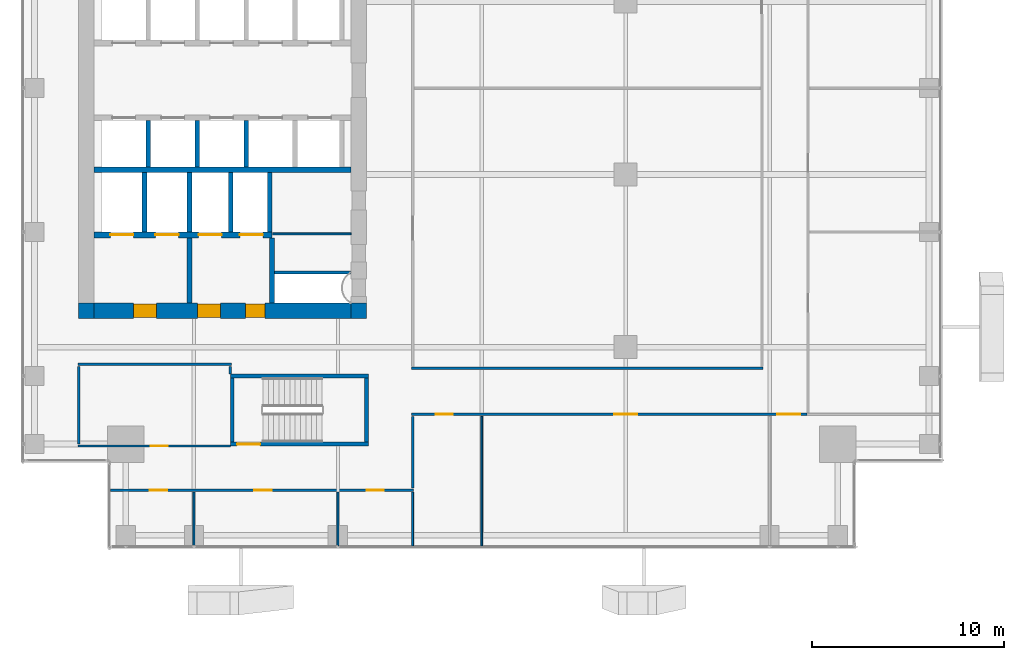
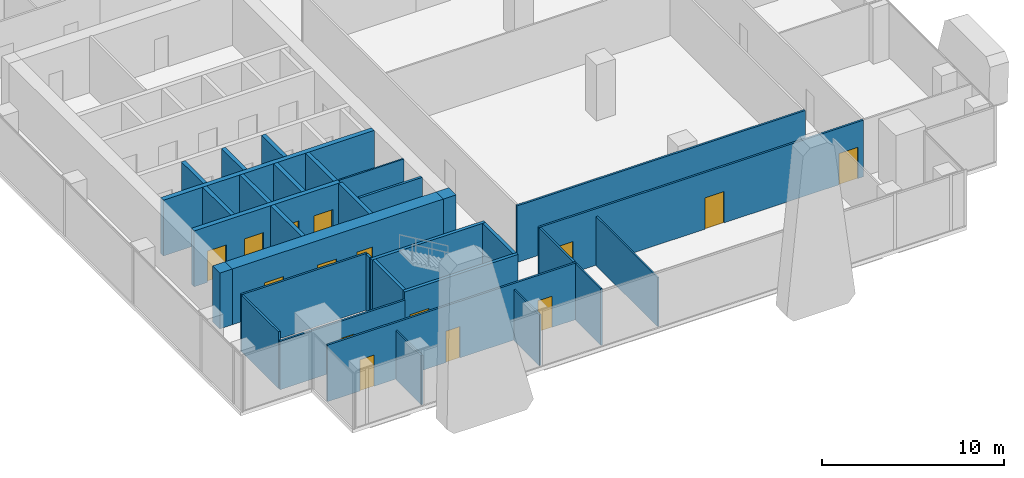
# One storey, part 32 of 38: 32 walls, 15 doors, 15 openings.
"""IFC4 building model written with IfcOpenShell, lengths in metres."""

from ifc_helpers import new_model, si_unit, direction, frame, frame_2d, origin, place, context, subcontext, project, spatial, rectangle, extrude, source, transform, mapped, material, layer, layer_set, type_object, element, fill, save


model = new_model("IFC4")

# Units and contexts
model_context = context("Model", 3, precision=1e-05, world=origin(), true_north=direction((0.0, 1.0)))
body_context = subcontext(model_context, "Body", "Model", "MODEL_VIEW")
ifc_project = project(units=[si_unit("LENGTHUNIT", "METRE"), si_unit("AREAUNIT", "SQUARE_METRE"), si_unit("VOLUMEUNIT", "CUBIC_METRE"), si_unit("PLANEANGLEUNIT", "RADIAN"), si_unit("MASSUNIT", "GRAM", prefix="KILO")], contexts=[model_context])

# Site, building, storey
site_placement = place(None, origin())
site = spatial("IfcSite", under=ifc_project, at=site_placement, CompositionType="ELEMENT")
building_placement = place(site_placement, origin())
building = spatial("IfcBuilding", under=site, at=building_placement, Name="Khomas Fold Tower", CompositionType="ELEMENT")
storey_placement = place(building_placement, frame((0.0, 0.0, 196.699951171875)))
storey = spatial("IfcBuildingStorey", under=building, at=storey_placement, Name="L43", CompositionType="ELEMENT", Elevation=196.699951171875)

# Wall, openings, doors
ifc_material_1 = material(Name="Concrete C60/75", Category="concrete")
ifc_layer_1 = layer(ifc_material_1, 0.800048828125)
ifc_layer_set_1 = layer_set([ifc_layer_1], Name="Concrete C60/75")
wall_type_1 = type_object("IfcWallType", Name="Core wall 800", PredefinedType="SHEAR", material=ifc_layer_set_1)
shared_shape_1 = source(origin(), body_context, "Body", "SweptSolid", [
    extrude(rectangle(XDim=13.39990234375, YDim=0.800048828125, at=frame_2d((6.699951171875, 0.0))), origin(), (0.0, 0.0, 1.0), 3.75),
])
wall_1_placement = place(storey_placement, frame((6.800048828125, 15.39990234375, 0.0), z_axis=(0.0, 0.0, 1.0), x_axis=(1.0, 0.0, 0.0)))
wall_1 = element("IfcWall", 1, at=wall_1_placement, inside=storey, type_object=wall_type_1, Name="Core wall CW-U-S-L35", PredefinedType="SHEAR", context=body_context, shape_type="MappedRepresentation", body=[
    mapped(shared_shape_1, transform((0.0, 0.0, 0.0))),
])
shared_shape_2 = source(origin(), body_context, "Body", "SweptSolid", [
    extrude(rectangle(XDim=1.199951171875, YDim=2.10009765625, at=frame_2d((0.60009765625, 1.050048828125))), frame((0.0, 0.409912109375, 0.0), z_axis=(0.0, -1.0, 0.0), x_axis=(1.0, 0.0, 0.0)), (0.0, 0.0, 1.0), 0.820068359375),
])
opening_1_placement = place(wall_1_placement, frame((5.39990234375, 0.0, 0.0)))
opening_1 = element("IfcOpeningElement", 2, at=opening_1_placement, cuts=wall_1, Name="Opening 0009", PredefinedType="OPENING", context=body_context, shape_type="MappedRepresentation", body=[
    mapped(shared_shape_2, transform((0.0, 0.0, 0.0))),
])
opening_2_placement = place(wall_1_placement, frame((2.050048828125, 0.0, 0.0)))
opening_2 = element("IfcOpeningElement", 3, at=opening_2_placement, cuts=wall_1, Name="Opening 0009", PredefinedType="OPENING", context=body_context, shape_type="MappedRepresentation", body=[
    mapped(shared_shape_2, transform((0.0, 0.0, 0.0))),
])
shared_shape_3 = source(origin(), body_context, "Body", "SweptSolid", [
    extrude(rectangle(XDim=1.0, YDim=2.10009765625, at=frame_2d((0.5, 1.050048828125))), frame((0.0, 0.409912109375, 0.0), z_axis=(0.0, -1.0, 0.0), x_axis=(1.0, 0.0, 0.0)), (0.0, 0.0, 1.0), 0.820068359375),
])
opening_3_placement = place(wall_1_placement, frame((7.89990234375, 0.0, 0.0)))
opening_3 = element("IfcOpeningElement", 4, at=opening_3_placement, cuts=wall_1, Name="Opening 0010", PredefinedType="OPENING", context=body_context, shape_type="MappedRepresentation", body=[
    mapped(shared_shape_3, transform((0.0, 0.0, 0.0))),
])
ifc_material_2 = material(Name="Steel door leaf", Category="steel")
door_type_1 = type_object("IfcDoorType", Name="Lobby door 1200x2100 right-hand", OperationType="SINGLE_SWING_RIGHT", PredefinedType="DOOR", material=ifc_material_2)
shared_shape_4 = source(origin(), body_context, "Body", "SweptSolid", [
    extrude(rectangle(XDim=1.199951171875, YDim=2.10009765625, at=frame_2d((0.60009765625, 1.050048828125))), frame((0.0, 0.35009765625, 0.0), z_axis=(0.0, -1.0, 0.0), x_axis=(1.0, 0.0, 0.0)), (0.0, 0.0, 1.0), 0.699951171875),
])
door_1_placement = place(opening_1_placement, origin())
door_1 = element("IfcDoor", 5, at=door_1_placement, inside=storey, type_object=door_type_1, Name="Lobby door", OperationType="SINGLE_SWING_RIGHT", OverallHeight=2.10009765625, OverallWidth=1.199951171875, PredefinedType="DOOR", context=body_context, shape_type="MappedRepresentation", body=[
    mapped(shared_shape_4, transform((0.0, 0.0, 0.0))),
])
fill(opening_1, door_1)
door_2_placement = place(opening_2_placement, origin())
door_2 = element("IfcDoor", 6, at=door_2_placement, inside=storey, type_object=door_type_1, Name="Lobby door", OperationType="SINGLE_SWING_RIGHT", OverallHeight=2.10009765625, OverallWidth=1.199951171875, PredefinedType="DOOR", context=body_context, shape_type="MappedRepresentation", body=[
    mapped(shared_shape_4, transform((0.0, 0.0, 0.0))),
])
fill(opening_2, door_2)
ifc_material_3 = material(Name="Steel door leaf", Category="steel")
door_type_2 = type_object("IfcDoorType", Name="Stair door 1000x2100 right-hand", OperationType="SINGLE_SWING_RIGHT", PredefinedType="DOOR", material=ifc_material_3)
shared_shape_5 = source(origin(), body_context, "Body", "SweptSolid", [
    extrude(rectangle(XDim=1.0, YDim=2.10009765625, at=frame_2d((0.5, 1.050048828125))), frame((0.0, 0.35009765625, 0.0), z_axis=(0.0, -1.0, 0.0), x_axis=(1.0, 0.0, 0.0)), (0.0, 0.0, 1.0), 0.699951171875),
])
door_3_placement = place(opening_3_placement, origin())
door_3 = element("IfcDoor", 7, at=door_3_placement, inside=storey, type_object=door_type_2, Name="Stair door", OperationType="SINGLE_SWING_RIGHT", OverallHeight=2.10009765625, OverallWidth=1.0, PredefinedType="DOOR", context=body_context, shape_type="MappedRepresentation", body=[
    mapped(shared_shape_5, transform((0.0, 0.0, 0.0))),
])
fill(opening_3, door_3)

# Walls
ifc_material_4 = material(Name="Concrete C60/75", Category="concrete")
ifc_layer_2 = layer(ifc_material_4, 0.800048828125)
ifc_layer_set_2 = layer_set([ifc_layer_2], Name="Concrete C60/75")
wall_type_2 = type_object("IfcWallType", Name="Core corner wall 800", PredefinedType="SHEAR", material=ifc_layer_set_2)
shared_shape_6 = source(origin(), body_context, "Body", "SweptSolid", [
    extrude(rectangle(XDim=0.800048828125, YDim=0.800048828125, at=frame_2d((0.39990234375, 0.0))), origin(), (0.0, 0.0, 1.0), 3.75),
])
for number, where, z_axis, x_axis, name in (
    (8, (20.199951171875, 15.39990234375, 0.0), (0.0, 0.0, 1.0), (1.0, 0.0, 0.0), "Core wall CW-U-SE-L35"),
    (9, (6.0, 15.39990234375, 0.0), (0.0, 0.0, 1.0), (1.0, 0.0, 0.0), "Core wall CW-U-SW-L35"),
):
    element("IfcWall", number, at=place(storey_placement, frame(where, z_axis=z_axis, x_axis=x_axis)), inside=storey, type_object=wall_type_2, Name=name, PredefinedType="SHEAR", context=body_context, shape_type="MappedRepresentation", body=[
        mapped(shared_shape_6, transform((0.0, 0.0, 0.0))),
    ])
ifc_material_5 = material(Name="Concrete C50/60", Category="concrete")
ifc_layer_3 = layer(ifc_material_5, 0.199951171875)
ifc_layer_set_3 = layer_set([ifc_layer_3], Name="Concrete C50/60")
wall_type_3 = type_object("IfcWallType", Name="Stair wall 200", PredefinedType="SHEAR", material=ifc_layer_set_3)
shared_shape_7 = source(origin(), body_context, "Body", "SweptSolid", [
    extrude(rectangle(XDim=7.2001953125, YDim=0.199951171875, at=frame_2d((3.60009765625, 0.0))), origin(), (0.0, 0.0, 1.0), 3.75),
])
wall_2_placement = place(storey_placement, frame((13.89990234375, 12.0, 0.0), z_axis=(0.0, 0.0, 1.0), x_axis=(1.0, 0.0, 0.0)))
element("IfcWall", 10, at=wall_2_placement, inside=storey, type_object=wall_type_3, Name="Stair wall SW-ST2-NH", PredefinedType="SHEAR", context=body_context, shape_type="MappedRepresentation", body=[
    mapped(shared_shape_7, transform((0.0, 0.0, 0.0))),
])

# Wall, opening, door
wall_3_placement = place(storey_placement, frame((13.89990234375, 8.449951171875, 0.0), z_axis=(0.0, 0.0, 1.0), x_axis=(1.0, 0.0, 0.0)))
wall_3 = element("IfcWall", 11, at=wall_3_placement, inside=storey, type_object=wall_type_3, Name="Stair wall SW-ST2-S", PredefinedType="SHEAR", context=body_context, shape_type="MappedRepresentation", body=[
    mapped(shared_shape_7, transform((0.0, 0.0, 0.0))),
])
shared_shape_8 = source(origin(), body_context, "Body", "SweptSolid", [
    extrude(rectangle(XDim=1.199951171875, YDim=2.10009765625, at=frame_2d((0.60009765625, 1.050048828125))), frame((0.0, 0.10986328125, 0.0), z_axis=(0.0, -1.0, 0.0), x_axis=(1.0, 0.0, 0.0)), (0.0, 0.0, 1.0), 0.219970703125),
])
opening_4_placement = place(wall_3_placement, frame((0.35009765625, 0.0, 0.0)))
opening_4 = element("IfcOpeningElement", 12, at=opening_4_placement, cuts=wall_3, Name="Opening SD-ST2", PredefinedType="OPENING", context=body_context, shape_type="MappedRepresentation", body=[
    mapped(shared_shape_8, transform((0.0, 0.0, 0.0))),
])
ifc_material_6 = material(Name="Steel door leaf", Category="steel")
door_type_3 = type_object("IfcDoorType", Name="Stair door 1200x2100 right-hand", OperationType="SINGLE_SWING_RIGHT", PredefinedType="DOOR", material=ifc_material_6)
shared_shape_9 = source(origin(), body_context, "Body", "SweptSolid", [
    extrude(rectangle(XDim=1.199951171875, YDim=2.10009765625, at=frame_2d((0.60009765625, 1.050048828125))), frame((0.0, 0.02490234375, 0.0), z_axis=(0.0, -1.0, 0.0), x_axis=(1.0, 0.0, 0.0)), (0.0, 0.0, 1.0), 0.050048828125),
])
door_4_placement = place(opening_4_placement, origin())
door_4 = element("IfcDoor", 13, at=door_4_placement, inside=storey, type_object=door_type_3, Name="Stair door", OperationType="SINGLE_SWING_RIGHT", OverallHeight=2.10009765625, OverallWidth=1.199951171875, PredefinedType="DOOR", context=body_context, shape_type="MappedRepresentation", body=[
    mapped(shared_shape_9, transform((0.0, 0.0, 0.0))),
])
fill(opening_4, door_4)

# Walls
shared_shape_10 = source(origin(), body_context, "Body", "SweptSolid", [
    extrude(rectangle(XDim=3.349853515625, YDim=0.199951171875, at=frame_2d((1.6748046875, 0.0))), origin(), (0.0, 0.0, 1.0), 3.75),
])
for number, where, z_axis, x_axis, name in (
    (14, (21.0, 8.550048828125, 0.0), (0.0, 0.0, 1.0), (0.0, 1.0, 0.0), "Stair wall SW-ST2-E"),
    (15, (14.0, 8.550048828125, 0.0), (0.0, 0.0, 1.0), (0.0, 1.0, 0.0), "Stair wall SW-ST2-W"),
):
    element("IfcWall", number, at=place(storey_placement, frame(where, z_axis=z_axis, x_axis=x_axis)), inside=storey, type_object=wall_type_3, Name=name, PredefinedType="SHEAR", context=body_context, shape_type="MappedRepresentation", body=[
        mapped(shared_shape_10, transform((0.0, 0.0, 0.0))),
    ])
ifc_material_7 = material(Name="Concrete C50/60", Category="concrete")
ifc_layer_4 = layer(ifc_material_7, 0.300048828125)
ifc_layer_set_4 = layer_set([ifc_layer_4], Name="Concrete C50/60")
wall_type_4 = type_object("IfcWallType", Name="Shaft wall 300", PredefinedType="STANDARD", material=ifc_layer_set_4)
shared_shape_11 = source(origin(), body_context, "Body", "SweptSolid", [
    extrude(rectangle(XDim=13.39990234375, YDim=0.300048828125, at=frame_2d((6.699951171875, 0.0))), origin(), (0.0, 0.0, 1.0), 3.75),
])
wall_4_placement = place(storey_placement, frame((6.800048828125, 22.75, 0.0), z_axis=(0.0, 0.0, 1.0), x_axis=(1.0, 0.0, 0.0)))
element("IfcWall", 16, at=wall_4_placement, inside=storey, type_object=wall_type_4, Name="Core wall SW-FS-B", PredefinedType="STANDARD", context=body_context, shape_type="MappedRepresentation", body=[
    mapped(shared_shape_11, transform((0.0, 0.0, 0.0))),
])

# Wall, openings, doors
shared_shape_12 = source(origin(), body_context, "Body", "SweptSolid", [
    extrude(rectangle(XDim=9.27490234375, YDim=0.300048828125, at=frame_2d((4.637451171875, 0.0))), origin(), (0.0, 0.0, 1.0), 3.75),
])
wall_5_placement = place(storey_placement, frame((6.800048828125, 19.35009765625, 0.0), z_axis=(0.0, 0.0, 1.0), x_axis=(1.0, 0.0, 0.0)))
wall_5 = element("IfcWall", 17, at=wall_5_placement, inside=storey, type_object=wall_type_4, Name="Core wall SW-FS-F", PredefinedType="STANDARD", context=body_context, shape_type="MappedRepresentation", body=[
    mapped(shared_shape_12, transform((0.0, 0.0, 0.0))),
])
shared_shape_13 = source(origin(), body_context, "Body", "SweptSolid", [
    extrude(rectangle(XDim=1.199951171875, YDim=2.10009765625, at=frame_2d((0.60009765625, 1.050048828125))), frame((0.0, 0.159912109375, 0.0), z_axis=(0.0, -1.0, 0.0), x_axis=(1.0, 0.0, 0.0)), (0.0, 0.0, 1.0), 0.320068359375),
])
opening_5_placement = place(wall_5_placement, frame((0.85009765625, 0.0, 0.0)))
opening_5 = element("IfcOpeningElement", 18, at=opening_5_placement, cuts=wall_5, Name="Opening LD-SV1", PredefinedType="OPENING", context=body_context, shape_type="MappedRepresentation", body=[
    mapped(shared_shape_13, transform((0.0, 0.0, 0.0))),
])
opening_6_placement = place(wall_5_placement, frame((3.199951171875, 0.0, 0.0)))
opening_6 = element("IfcOpeningElement", 19, at=opening_6_placement, cuts=wall_5, Name="Opening LD-SV2", PredefinedType="OPENING", context=body_context, shape_type="MappedRepresentation", body=[
    mapped(shared_shape_13, transform((0.0, 0.0, 0.0))),
])
opening_7_placement = place(wall_5_placement, frame((5.449951171875, 0.0, 0.0)))
opening_7 = element("IfcOpeningElement", 20, at=opening_7_placement, cuts=wall_5, Name="Opening LD-FF1", PredefinedType="OPENING", context=body_context, shape_type="MappedRepresentation", body=[
    mapped(shared_shape_13, transform((0.0, 0.0, 0.0))),
])
opening_8_placement = place(wall_5_placement, frame((7.60009765625, 0.0, 0.0)))
opening_8 = element("IfcOpeningElement", 21, at=opening_8_placement, cuts=wall_5, Name="Opening LD-FF2", PredefinedType="OPENING", context=body_context, shape_type="MappedRepresentation", body=[
    mapped(shared_shape_13, transform((0.0, 0.0, 0.0))),
])
ifc_material_8 = material(Name="Steel door leaf", Category="steel")
door_type_4 = type_object("IfcDoorType", Name="Landing door 1200x2100", OperationType="DOUBLE_DOOR_SLIDING", PredefinedType="DOOR", material=ifc_material_8)
door_5_placement = place(opening_5_placement, origin())
door_5 = element("IfcDoor", 22, at=door_5_placement, inside=storey, type_object=door_type_4, Name="Lift landing door", OperationType="DOUBLE_DOOR_SLIDING", OverallHeight=2.10009765625, OverallWidth=1.199951171875, PredefinedType="DOOR", context=body_context, shape_type="MappedRepresentation", body=[
    mapped(shared_shape_9, transform((0.0, 0.0, 0.0))),
])
fill(opening_5, door_5)
door_6_placement = place(opening_6_placement, origin())
door_6 = element("IfcDoor", 23, at=door_6_placement, inside=storey, type_object=door_type_4, Name="Lift landing door", OperationType="DOUBLE_DOOR_SLIDING", OverallHeight=2.10009765625, OverallWidth=1.199951171875, PredefinedType="DOOR", context=body_context, shape_type="MappedRepresentation", body=[
    mapped(shared_shape_9, transform((0.0, 0.0, 0.0))),
])
fill(opening_6, door_6)
door_7_placement = place(opening_7_placement, origin())
door_7 = element("IfcDoor", 24, at=door_7_placement, inside=storey, type_object=door_type_4, Name="Lift landing door", OperationType="DOUBLE_DOOR_SLIDING", OverallHeight=2.10009765625, OverallWidth=1.199951171875, PredefinedType="DOOR", context=body_context, shape_type="MappedRepresentation", body=[
    mapped(shared_shape_9, transform((0.0, 0.0, 0.0))),
])
fill(opening_7, door_7)
door_8_placement = place(opening_8_placement, origin())
door_8 = element("IfcDoor", 25, at=door_8_placement, inside=storey, type_object=door_type_4, Name="Lift landing door", OperationType="DOUBLE_DOOR_SLIDING", OverallHeight=2.10009765625, OverallWidth=1.199951171875, PredefinedType="DOOR", context=body_context, shape_type="MappedRepresentation", body=[
    mapped(shared_shape_9, transform((0.0, 0.0, 0.0))),
])
fill(opening_8, door_8)

# Walls
ifc_material_9 = material(Name="Concrete C50/60", Category="concrete")
ifc_layer_5 = layer(ifc_material_9, 0.25)
ifc_layer_set_5 = layer_set([ifc_layer_5], Name="Concrete C50/60")
wall_type_5 = type_object("IfcWallType", Name="Shaft wall 250", PredefinedType="STANDARD", material=ifc_layer_set_5)
shared_shape_14 = source(origin(), body_context, "Body", "SweptSolid", [
    extrude(rectangle(XDim=3.10009765625, YDim=0.25, at=frame_2d((1.550048828125, 0.0))), origin(), (0.0, 0.0, 1.0), 3.75),
])
for number, where, z_axis, x_axis, name in (
    (26, (9.425048828125, 19.5, 0.0), (0.0, 0.0, 1.0), (0.0, 1.0, 0.0), "Core wall SW-FS-P1"),
    (27, (11.77490234375, 19.5, 0.0), (0.0, 0.0, 1.0), (0.0, 1.0, 0.0), "Core wall SW-FS-P2"),
    (28, (13.925048828125, 19.5, 0.0), (0.0, 0.0, 1.0), (0.0, 1.0, 0.0), "Core wall SW-FS-P3"),
    (29, (15.949951171875, 19.5, 0.0), (0.0, 0.0, 1.0), (0.0, 1.0, 0.0), "Core wall SW-FS-PE"),
):
    element("IfcWall", number, at=place(storey_placement, frame(where, z_axis=z_axis, x_axis=x_axis)), inside=storey, type_object=wall_type_5, Name=name, PredefinedType="STANDARD", context=body_context, shape_type="MappedRepresentation", body=[
        mapped(shared_shape_14, transform((0.0, 0.0, 0.0))),
    ])
shared_shape_15 = source(origin(), body_context, "Body", "SweptSolid", [
    extrude(rectangle(XDim=2.400146484375, YDim=0.25, at=frame_2d((1.2001953125, 0.0))), origin(), (0.0, 0.0, 1.0), 3.75),
])
for number, where, z_axis, x_axis, name in (
    (30, (9.625, 22.89990234375, 0.0), (0.0, 0.0, 1.0), (0.0, 1.0, 0.0), "Core wall SW-HRS-P1"),
    (31, (12.175048828125, 22.89990234375, 0.0), (0.0, 0.0, 1.0), (0.0, 1.0, 0.0), "Core wall SW-HRS-P2"),
    (32, (14.72509765625, 22.89990234375, 0.0), (0.0, 0.0, 1.0), (0.0, 1.0, 0.0), "Core wall SW-HRS-PE"),
):
    element("IfcWall", number, at=place(storey_placement, frame(where, z_axis=z_axis, x_axis=x_axis)), inside=storey, type_object=wall_type_5, Name=name, PredefinedType="STANDARD", context=body_context, shape_type="MappedRepresentation", body=[
        mapped(shared_shape_15, transform((0.0, 0.0, 0.0))),
    ])
ifc_material_10 = material(Name="Concrete C50/60", Category="concrete")
ifc_layer_6 = layer(ifc_material_10, 0.25)
ifc_layer_set_6 = layer_set([ifc_layer_6], Name="Concrete C50/60")
wall_type_6 = type_object("IfcWallType", Name="Lobby wall 250", PredefinedType="STANDARD", material=ifc_layer_set_6)
shared_shape_16 = source(origin(), body_context, "Body", "SweptSolid", [
    extrude(rectangle(XDim=3.39990234375, YDim=0.25, at=frame_2d((1.699951171875, 0.0))), origin(), (0.0, 0.0, 1.0), 3.75),
])
for number, where, z_axis, x_axis, name in (
    (33, (16.074951171875, 15.800048828125, 0.0), (0.0, 0.0, 1.0), (0.0, 1.0, 0.0), "Core wall SW-FS-LOB-E"),
    (34, (11.77490234375, 15.800048828125, 0.0), (0.0, 0.0, 1.0), (0.0, 1.0, 0.0), "Core wall SW-FS-SEP"),
):
    element("IfcWall", number, at=place(storey_placement, frame(where, z_axis=z_axis, x_axis=x_axis)), inside=storey, type_object=wall_type_6, Name=name, PredefinedType="STANDARD", context=body_context, shape_type="MappedRepresentation", body=[
        mapped(shared_shape_16, transform((0.0, 0.0, 0.0))),
    ])
ifc_material_11 = material(Name="Plasterboard partition")
ifc_layer_7 = layer(ifc_material_11, 0.10009765625)
ifc_layer_set_7 = layer_set([ifc_layer_7], Name="Plasterboard partition")
wall_type_7 = type_object("IfcWallType", Name="Partition PW1 100", PredefinedType="PARTITIONING", material=ifc_layer_set_7)
shared_shape_17 = source(origin(), body_context, "Body", "SweptSolid", [
    extrude(rectangle(XDim=2.800048828125, YDim=0.10009765625, at=frame_2d((1.39990234375, 0.0))), origin(), (0.0, 0.0, 1.0), 3.420166015625),
])
wall_6_placement = place(storey_placement, frame((19.5, 3.14990234375, 0.0), z_axis=(0.0, 0.0, 1.0), x_axis=(0.0, 1.0, 0.0)))
element("IfcWall", 35, at=wall_6_placement, inside=storey, type_object=wall_type_7, Name="Partition", PredefinedType="PARTITIONING", context=body_context, shape_type="MappedRepresentation", body=[
    mapped(shared_shape_17, transform((0.0, 0.0, 0.0))),
])

# Wall, opening, door
ifc_material_12 = material(Name="Plasterboard partition")
ifc_layer_8 = layer(ifc_material_12, 0.125)
ifc_layer_set_8 = layer_set([ifc_layer_8], Name="Plasterboard partition")
wall_type_8 = type_object("IfcWallType", Name="Partition PW2 125", PredefinedType="PARTITIONING", material=ifc_layer_set_8)
shared_shape_18 = source(origin(), body_context, "Body", "SweptSolid", [
    extrude(rectangle(XDim=7.949951171875, YDim=0.125, at=frame_2d((3.97509765625, 0.0))), origin(), (0.0, 0.0, 1.0), 3.25),
])
wall_7_placement = place(storey_placement, frame((5.949951171875, 8.35009765625, 0.0), z_axis=(0.0, 0.0, 1.0), x_axis=(1.0, 0.0, 0.0)))
wall_7 = element("IfcWall", 36, at=wall_7_placement, inside=storey, type_object=wall_type_8, Name="Partition", PredefinedType="PARTITIONING", context=body_context, shape_type="MappedRepresentation", body=[
    mapped(shared_shape_18, transform((0.0, 0.0, 0.0))),
])
shared_shape_19 = source(origin(), body_context, "Body", "SweptSolid", [
    extrude(rectangle(XDim=0.89990234375, YDim=2.10009765625, at=frame_2d((0.449951171875, 1.050048828125))), frame((0.0, 0.072509765625, 0.0), z_axis=(0.0, -1.0, 0.0), x_axis=(1.0, 0.0, 0.0)), (0.0, 0.0, 1.0), 0.14501953125),
])
opening_9_placement = place(wall_7_placement, frame((3.800048828125, 0.0, 0.0)))
opening_9 = element("IfcOpeningElement", 37, at=opening_9_placement, cuts=wall_7, Name="Opening 0007", PredefinedType="OPENING", context=body_context, shape_type="MappedRepresentation", body=[
    mapped(shared_shape_19, transform((0.0, 0.0, 0.0))),
])
ifc_material_13 = material(Name="Timber door leaf", Category="wood")
door_type_5 = type_object("IfcDoorType", Name="Door 900x2100 left-hand", OperationType="SINGLE_SWING_LEFT", PredefinedType="DOOR", material=ifc_material_13)
shared_shape_20 = source(origin(), body_context, "Body", "SweptSolid", [
    extrude(rectangle(XDim=0.89990234375, YDim=2.10009765625, at=frame_2d((0.449951171875, 1.050048828125))), frame((0.0, 0.02490234375, 0.0), z_axis=(0.0, -1.0, 0.0), x_axis=(1.0, 0.0, 0.0)), (0.0, 0.0, 1.0), 0.050048828125),
])
door_9_placement = place(opening_9_placement, origin())
door_9 = element("IfcDoor", 38, at=door_9_placement, inside=storey, type_object=door_type_5, Name="Door", OperationType="SINGLE_SWING_LEFT", OverallHeight=2.10009765625, OverallWidth=0.89990234375, PredefinedType="DOOR", context=body_context, shape_type="MappedRepresentation", body=[
    mapped(shared_shape_20, transform((0.0, 0.0, 0.0))),
])
fill(opening_9, door_9)

# Walls
shared_shape_21 = source(origin(), body_context, "Body", "SweptSolid", [
    extrude(rectangle(XDim=4.050048828125, YDim=0.125, at=frame_2d((2.02490234375, 0.0))), origin(), (0.0, 0.0, 1.0), 3.800048828125),
])
wall_8_placement = place(storey_placement, frame((6.0, 8.449951171875, 0.0), z_axis=(0.0, 0.0, 1.0), x_axis=(0.0, 1.0, 0.0)))
element("IfcWall", 39, at=wall_8_placement, inside=storey, type_object=wall_type_8, Name="Partition", PredefinedType="PARTITIONING", context=body_context, shape_type="MappedRepresentation", body=[
    mapped(shared_shape_21, transform((0.0, 0.0, 0.0))),
])
shared_shape_22 = source(origin(), body_context, "Body", "SweptSolid", [
    extrude(rectangle(XDim=0.39990234375, YDim=0.125, at=frame_2d((0.199951171875, 0.0))), origin(), (0.0, 0.0, 1.0), 3.800048828125),
])
wall_9_placement = place(storey_placement, frame((13.89990234375, 12.10009765625, 0.0), z_axis=(0.0, 0.0, 1.0), x_axis=(0.0, 1.0, 0.0)))
element("IfcWall", 40, at=wall_9_placement, inside=storey, type_object=wall_type_8, Name="Partition", PredefinedType="PARTITIONING", context=body_context, shape_type="MappedRepresentation", body=[
    mapped(shared_shape_22, transform((0.0, 0.0, 0.0))),
])
shared_shape_23 = source(origin(), body_context, "Body", "SweptSolid", [
    extrude(rectangle(XDim=8.0, YDim=0.125, at=frame_2d((4.0, 0.0))), origin(), (0.0, 0.0, 1.0), 3.800048828125),
])
wall_10_placement = place(storey_placement, frame((5.949951171875, 12.60009765625, 0.0), z_axis=(0.0, 0.0, 1.0), x_axis=(1.0, 0.0, 0.0)))
element("IfcWall", 41, at=wall_10_placement, inside=storey, type_object=wall_type_8, Name="Partition", PredefinedType="PARTITIONING", context=body_context, shape_type="MappedRepresentation", body=[
    mapped(shared_shape_23, transform((0.0, 0.0, 0.0))),
])
ifc_material_14 = material(Name="Plasterboard fire partition")
ifc_layer_9 = layer(ifc_material_14, 0.14990234375)
ifc_layer_set_9 = layer_set([ifc_layer_9], Name="Plasterboard fire partition")
wall_type_9 = type_object("IfcWallType", Name="Plant room wall PW3 150", PredefinedType="PARTITIONING", material=ifc_layer_set_9)
shared_shape_24 = source(origin(), body_context, "Body", "SweptSolid", [
    extrude(rectangle(XDim=4.0, YDim=0.14990234375, at=frame_2d((2.0, 0.0))), origin(), (0.0, 0.0, 1.0), 3.800048828125),
])
wall_11_placement = place(storey_placement, frame((16.199951171875, 17.39990234375, 0.0), z_axis=(0.0, 0.0, 1.0), x_axis=(1.0, 0.0, 0.0)))
element("IfcWall", 42, at=wall_11_placement, inside=storey, type_object=wall_type_9, Name="Plant room wall", PredefinedType="PARTITIONING", context=body_context, shape_type="MappedRepresentation", body=[
    mapped(shared_shape_24, transform((0.0, 0.0, 0.0))),
])
shared_shape_25 = source(origin(), body_context, "Body", "SweptSolid", [
    extrude(rectangle(XDim=4.099853515625, YDim=0.10009765625, at=frame_2d((2.0498046875, 0.0))), origin(), (0.0, 0.0, 1.0), 3.800048828125),
])
wall_12_placement = place(storey_placement, frame((16.10009765625, 19.39990234375, 0.0), z_axis=(0.0, 0.0, 1.0), x_axis=(1.0, 0.0, 0.0)))
element("IfcWall", 43, at=wall_12_placement, inside=storey, type_object=wall_type_7, Name="Partition", PredefinedType="PARTITIONING", context=body_context, shape_type="MappedRepresentation", body=[
    mapped(shared_shape_25, transform((0.0, 0.0, 0.0))),
])
shared_shape_26 = source(origin(), body_context, "Body", "SweptSolid", [
    extrude(rectangle(XDim=18.2998046875, YDim=0.125, at=frame_2d((9.14990234375, 0.0))), origin(), (0.0, 0.0, 1.0), 3.800048828125),
])
wall_13_placement = place(storey_placement, frame((23.35009765625, 12.39990234375, 0.0), z_axis=(0.0, 0.0, 1.0), x_axis=(1.0, 0.0, 0.0)))
element("IfcWall", 44, at=wall_13_placement, inside=storey, type_object=wall_type_8, Name="Partition", PredefinedType="PARTITIONING", context=body_context, shape_type="MappedRepresentation", body=[
    mapped(shared_shape_26, transform((0.0, 0.0, 0.0))),
])
shared_shape_27 = source(origin(), body_context, "Body", "SweptSolid", [
    extrude(rectangle(XDim=2.800048828125, YDim=0.10009765625, at=frame_2d((1.39990234375, 0.0))), origin(), (0.0, 0.0, 1.0), 3.800048828125),
])
wall_14_placement = place(storey_placement, frame((23.39990234375, 3.14990234375, 0.0), z_axis=(0.0, 0.0, 1.0), x_axis=(0.0, 1.0, 0.0)))
element("IfcWall", 45, at=wall_14_placement, inside=storey, type_object=wall_type_7, Name="Partition", PredefinedType="PARTITIONING", context=body_context, shape_type="MappedRepresentation", body=[
    mapped(shared_shape_27, transform((0.0, 0.0, 0.0))),
])

# Wall, openings, doors
shared_shape_28 = source(origin(), body_context, "Body", "SweptSolid", [
    extrude(rectangle(XDim=15.800048828125, YDim=0.125, at=frame_2d((7.89990234375, 0.0))), origin(), (0.0, 0.0, 1.0), 3.800048828125),
])
wall_15_placement = place(storey_placement, frame((7.64990234375, 6.050048828125, 0.0), z_axis=(0.0, 0.0, 1.0), x_axis=(1.0, 0.0, 0.0)))
wall_15 = element("IfcWall", 46, at=wall_15_placement, inside=storey, type_object=wall_type_8, Name="Partition", PredefinedType="PARTITIONING", context=body_context, shape_type="MappedRepresentation", body=[
    mapped(shared_shape_28, transform((0.0, 0.0, 0.0))),
])
opening_10_placement = place(wall_15_placement, frame((2.050048828125, 0.0, 0.0)))
opening_10 = element("IfcOpeningElement", 47, at=opening_10_placement, cuts=wall_15, Name="Opening 0008", PredefinedType="OPENING", context=body_context, shape_type="MappedRepresentation", body=[
    mapped(shared_shape_19, transform((0.0, 0.0, 0.0))),
])
opening_11_placement = place(wall_15_placement, frame((7.5, 0.0, 0.0)))
opening_11 = element("IfcOpeningElement", 48, at=opening_11_placement, cuts=wall_15, Name="Opening 0007", PredefinedType="OPENING", context=body_context, shape_type="MappedRepresentation", body=[
    mapped(shared_shape_19, transform((0.0, 0.0, 0.0))),
])
opening_12_placement = place(wall_15_placement, frame((13.35009765625, 0.0, 0.0)))
opening_12 = element("IfcOpeningElement", 49, at=opening_12_placement, cuts=wall_15, Name="Opening 0008", PredefinedType="OPENING", context=body_context, shape_type="MappedRepresentation", body=[
    mapped(shared_shape_19, transform((0.0, 0.0, 0.0))),
])
ifc_material_15 = material(Name="Timber door leaf", Category="wood")
door_type_6 = type_object("IfcDoorType", Name="Door 900x2100 right-hand", OperationType="SINGLE_SWING_RIGHT", PredefinedType="DOOR", material=ifc_material_15)
door_10_placement = place(opening_10_placement, origin())
door_10 = element("IfcDoor", 50, at=door_10_placement, inside=storey, type_object=door_type_6, Name="Door", OperationType="SINGLE_SWING_RIGHT", OverallHeight=2.10009765625, OverallWidth=0.89990234375, PredefinedType="DOOR", context=body_context, shape_type="MappedRepresentation", body=[
    mapped(shared_shape_20, transform((0.0, 0.0, 0.0))),
])
fill(opening_10, door_10)
door_11_placement = place(opening_11_placement, origin())
door_11 = element("IfcDoor", 51, at=door_11_placement, inside=storey, type_object=door_type_5, Name="Door", OperationType="SINGLE_SWING_LEFT", OverallHeight=2.10009765625, OverallWidth=0.89990234375, PredefinedType="DOOR", context=body_context, shape_type="MappedRepresentation", body=[
    mapped(shared_shape_20, transform((0.0, 0.0, 0.0))),
])
fill(opening_11, door_11)
door_12_placement = place(opening_12_placement, origin())
door_12 = element("IfcDoor", 52, at=door_12_placement, inside=storey, type_object=door_type_6, Name="Door", OperationType="SINGLE_SWING_RIGHT", OverallHeight=2.10009765625, OverallWidth=0.89990234375, PredefinedType="DOOR", context=body_context, shape_type="MappedRepresentation", body=[
    mapped(shared_shape_20, transform((0.0, 0.0, 0.0))),
])
fill(opening_12, door_12)

# Walls
shared_shape_29 = source(origin(), body_context, "Body", "SweptSolid", [
    extrude(rectangle(XDim=3.75, YDim=0.125, at=frame_2d((1.875, 0.0))), origin(), (0.0, 0.0, 1.0), 3.800048828125),
])
wall_16_placement = place(storey_placement, frame((23.39990234375, 6.14990234375, 0.0), z_axis=(0.0, 0.0, 1.0), x_axis=(0.0, 1.0, 0.0)))
element("IfcWall", 53, at=wall_16_placement, inside=storey, type_object=wall_type_8, Name="Partition", PredefinedType="PARTITIONING", context=body_context, shape_type="MappedRepresentation", body=[
    mapped(shared_shape_29, transform((0.0, 0.0, 0.0))),
])
shared_shape_30 = source(origin(), body_context, "Body", "SweptSolid", [
    extrude(rectangle(XDim=2.800048828125, YDim=0.10009765625, at=frame_2d((1.39990234375, 0.0))), origin(), (0.0, 0.0, 1.0), 3.300048828125),
])
wall_17_placement = place(storey_placement, frame((12.0, 3.14990234375, 0.0), z_axis=(0.0, 0.0, 1.0), x_axis=(0.0, 1.0, 0.0)))
element("IfcWall", 54, at=wall_17_placement, inside=storey, type_object=wall_type_7, Name="Partition", PredefinedType="PARTITIONING", context=body_context, shape_type="MappedRepresentation", body=[
    mapped(shared_shape_30, transform((0.0, 0.0, 0.0))),
])
shared_shape_31 = source(origin(), body_context, "Body", "SweptSolid", [
    extrude(rectangle(XDim=6.75, YDim=0.10009765625, at=frame_2d((3.375, 0.0))), origin(), (0.0, 0.0, 1.0), 3.300048828125),
])
wall_18_placement = place(storey_placement, frame((27.0, 3.14990234375, 0.0), z_axis=(0.0, 0.0, 1.0), x_axis=(0.0, 1.0, 0.0)))
element("IfcWall", 55, at=wall_18_placement, inside=storey, type_object=wall_type_7, Name="Partition", PredefinedType="PARTITIONING", context=body_context, shape_type="MappedRepresentation", body=[
    mapped(shared_shape_31, transform((0.0, 0.0, 0.0))),
])

# Wall, openings, doors
shared_shape_32 = source(origin(), body_context, "Body", "SweptSolid", [
    extrude(rectangle(XDim=20.599853515625, YDim=0.125, at=frame_2d((10.2998046875, 0.0))), origin(), (0.0, 0.0, 1.0), 3.800048828125),
])
wall_19_placement = place(storey_placement, frame((23.35009765625, 10.0, 0.0), z_axis=(0.0, 0.0, 1.0), x_axis=(1.0, 0.0, 0.0)))
wall_19 = element("IfcWall", 56, at=wall_19_placement, inside=storey, type_object=wall_type_8, Name="Partition", PredefinedType="PARTITIONING", context=body_context, shape_type="MappedRepresentation", body=[
    mapped(shared_shape_32, transform((0.0, 0.0, 0.0))),
])
opening_13_placement = place(wall_19_placement, frame((1.25, 0.0, 0.0)))
opening_13 = element("IfcOpeningElement", 57, at=opening_13_placement, cuts=wall_19, Name="Opening 0007", PredefinedType="OPENING", context=body_context, shape_type="MappedRepresentation", body=[
    mapped(shared_shape_19, transform((0.0, 0.0, 0.0))),
])
shared_shape_33 = source(origin(), body_context, "Body", "SweptSolid", [
    extrude(rectangle(XDim=1.199951171875, YDim=2.10009765625, at=frame_2d((0.60009765625, 1.050048828125))), frame((0.0, 0.072509765625, 0.0), z_axis=(0.0, -1.0, 0.0), x_axis=(1.0, 0.0, 0.0)), (0.0, 0.0, 1.0), 0.14501953125),
])
opening_14_placement = place(wall_19_placement, frame((10.550048828125, 0.0, 0.0)))
opening_14 = element("IfcOpeningElement", 58, at=opening_14_placement, cuts=wall_19, Name="Opening 0001", PredefinedType="OPENING", context=body_context, shape_type="MappedRepresentation", body=[
    mapped(shared_shape_33, transform((0.0, 0.0, 0.0))),
])
opening_15_placement = place(wall_19_placement, frame((19.050048828125, 0.0, 0.0)))
opening_15 = element("IfcOpeningElement", 59, at=opening_15_placement, cuts=wall_19, Name="Opening 0013", PredefinedType="OPENING", context=body_context, shape_type="MappedRepresentation", body=[
    mapped(shared_shape_33, transform((0.0, 0.0, 0.0))),
])
door_13_placement = place(opening_13_placement, origin())
door_13 = element("IfcDoor", 60, at=door_13_placement, inside=storey, type_object=door_type_5, Name="Door", OperationType="SINGLE_SWING_LEFT", OverallHeight=2.10009765625, OverallWidth=0.89990234375, PredefinedType="DOOR", context=body_context, shape_type="MappedRepresentation", body=[
    mapped(shared_shape_20, transform((0.0, 0.0, 0.0))),
])
fill(opening_13, door_13)
ifc_material_16 = material(Name="Timber door leaf", Category="wood")
door_type_7 = type_object("IfcDoorType", Name="Door 1200x2100 right-hand", OperationType="SINGLE_SWING_RIGHT", PredefinedType="DOOR", material=ifc_material_16)
door_14_placement = place(opening_14_placement, origin())
door_14 = element("IfcDoor", 61, at=door_14_placement, inside=storey, type_object=door_type_7, Name="Door", OperationType="SINGLE_SWING_RIGHT", OverallHeight=2.10009765625, OverallWidth=1.199951171875, PredefinedType="DOOR", context=body_context, shape_type="MappedRepresentation", body=[
    mapped(shared_shape_9, transform((0.0, 0.0, 0.0))),
])
fill(opening_14, door_14)
ifc_material_17 = material(Name="Timber door leaf", Category="wood")
door_type_8 = type_object("IfcDoorType", Name="Door 1200x2100 left-hand", OperationType="SINGLE_SWING_LEFT", PredefinedType="DOOR", material=ifc_material_17)
door_15_placement = place(opening_15_placement, origin())
door_15 = element("IfcDoor", 62, at=door_15_placement, inside=storey, type_object=door_type_8, Name="Door", OperationType="SINGLE_SWING_LEFT", OverallHeight=2.10009765625, OverallWidth=1.199951171875, PredefinedType="DOOR", context=body_context, shape_type="MappedRepresentation", body=[
    mapped(shared_shape_9, transform((0.0, 0.0, 0.0))),
])
fill(opening_15, door_15)

save(model, "model.ifc")
